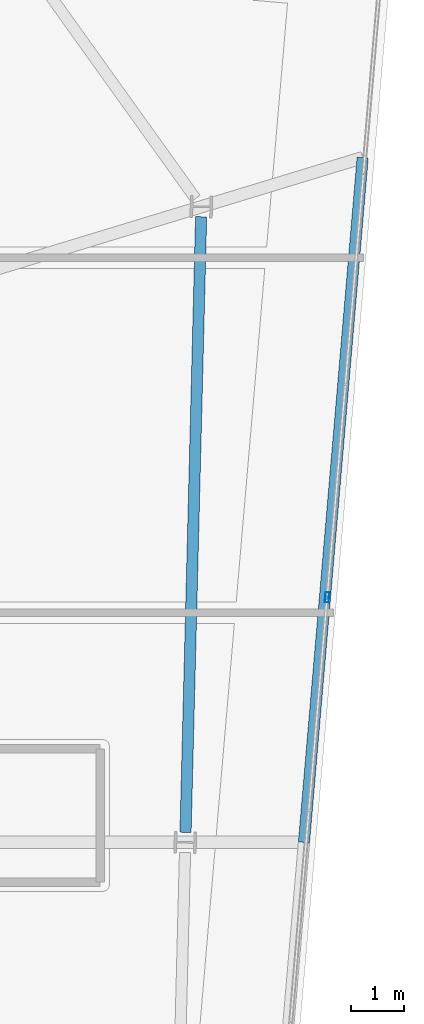
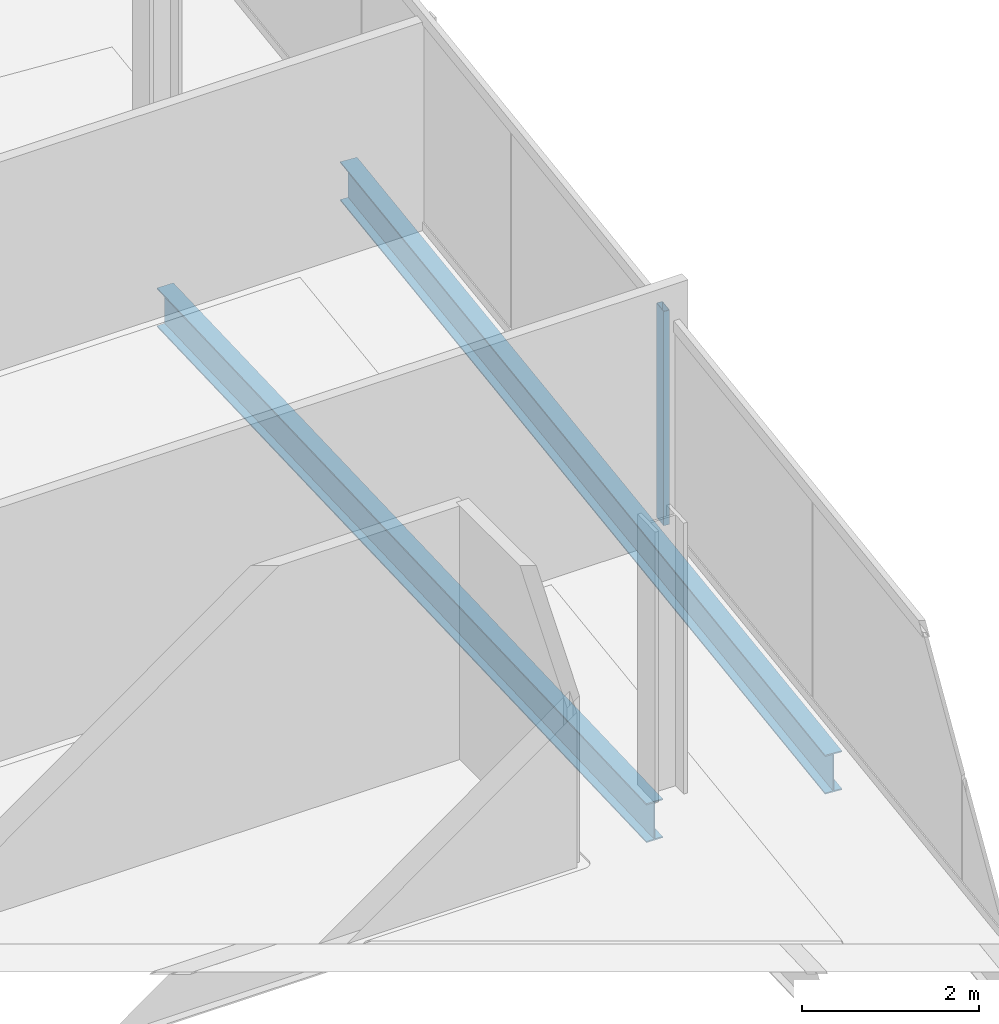
# One storey, part 12 of 24: 2 beams, 1 member, 1 element without a shape of its own.
"""IFC4 building model written with IfcOpenShell, lengths in metres."""

from ifc_helpers import new_model, si_unit, direction, frame, origin, origin_2d, place, context, subcontext, project, spatial, hollow_rectangle, i_section, extrude, material, material_profile, profile_set, type_object, element, aggregate, save


model = new_model("IFC4")

# Units and contexts
model_context = context("Model", 3, precision=1e-05, world=origin(), true_north=direction((0.0, 1.0)))
body_context = subcontext(model_context, "Body", "Model", "MODEL_VIEW")
ifc_project = project(units=[si_unit("LENGTHUNIT", "METRE"), si_unit("AREAUNIT", "SQUARE_METRE"), si_unit("VOLUMEUNIT", "CUBIC_METRE"), si_unit("PLANEANGLEUNIT", "RADIAN"), si_unit("MASSUNIT", "GRAM", prefix="KILO")], contexts=[model_context])

# Site, building, storey
site_placement = place(None, origin())
site = spatial("IfcSite", under=ifc_project, at=site_placement, CompositionType="ELEMENT")
building_placement = place(site_placement, origin())
building = spatial("IfcBuilding", under=site, at=building_placement, Name="Haldenkirk Collegiate Tower", CompositionType="ELEMENT")
storey_placement = place(building_placement, frame((0.0, 0.0, 313.949951171875)))
storey = spatial("IfcBuildingStorey", under=building, at=storey_placement, Name="L79", CompositionType="ELEMENT", Elevation=313.949951171875)

# Beams
ifc_material_1 = material(Name="Steel ASTM A992 Grade 50", Category="steel")
ifc_material_profile_1 = material_profile(ifc_material_1, i_section(OverallWidth=0.2099609375, OverallDepth=0.537109375, WebThickness=0.010986328125, FlangeThickness=0.017333984375, at=origin_2d()), Name="W21X68")
ifc_profile_set_1 = profile_set([ifc_material_profile_1], Name="Steel ASTM A992 Grade 50")
beam_type = type_object("IfcBeamType", Name="BM-SPANDREL-W21X68", PredefinedType="SPANDREL", material=ifc_profile_set_1)
beam_1_placement = place(storey_placement, frame((55.8984375, 25.684326171875, -0.528564453125), z_axis=(0.025302458902, 0.999679841536, 0.0), x_axis=(-0.999679841536, 0.025302458902, 0.0)))
element("IfcBeam", 1, at=beam_1_placement, inside=storey, type_object=beam_type, Name="L79 perimeter spandrel beam 03", PredefinedType="SPANDREL", context=body_context, shape_type="SweptSolid", body=[
    extrude(i_section(OverallWidth=0.2099609375, OverallDepth=0.537109375, WebThickness=0.010986328125, FlangeThickness=0.017333984375, at=origin_2d()), origin(), (0.0, 0.0, 1.0), 11.5400390625),
])
beam_2_placement = place(storey_placement, frame((58.117919921875, 25.496337890625, -0.528564453125), z_axis=(0.085414044682, 0.996345542957, 0.0), x_axis=(-0.996345542957, 0.085414044682, 0.0)))
element("IfcBeam", 2, at=beam_2_placement, inside=storey, type_object=beam_type, Name="L79 outer facade edge beam 1B", PredefinedType="SPANDREL", context=body_context, shape_type="SweptSolid", body=[
    extrude(i_section(OverallWidth=0.2099609375, OverallDepth=0.537109375, WebThickness=0.010986328125, FlangeThickness=0.017333984375, at=origin_2d()), origin(), (0.0, 0.0, 1.0), 12.879638671875),
])

# Curtain wall, member
ifc_material_2 = material(Name="Anodised architectural bronze aluminium", Category="aluminium")
curtain_wall_type = type_object("IfcCurtainWallType", Name="CW-SYS2-CONCAVE", PredefinedType="USERDEFINED", material=ifc_material_2)
curtain_wall_placement = place(storey_placement, origin())
curtain_wall = element("IfcCurtainWall", 3, at=curtain_wall_placement, inside=storey, type_object=curtain_wall_type, Name="L79 South concave recessed bronze-anodised curtain wall", ObjectType="UNITISED CURTAIN WALL", PredefinedType="USERDEFINED")
ifc_material_profile_2 = material_profile(ifc_material_2, hollow_rectangle(XDim=0.074951171875, YDim=0.18994140625, WallThickness=0.0048828125, at=origin_2d()), Name="CW-MUL-02")
ifc_profile_set_2 = profile_set([ifc_material_profile_2], Name="Anodised architectural bronze aluminium")
member_type = type_object("IfcMemberType", Name="CW-MUL-02", PredefinedType="MULLION", material=ifc_profile_set_2)
member_placement = place(storey_placement, frame((58.5517578125, 30.088623046875, 0.0), z_axis=(0.0, 0.0, 1.0), x_axis=(0.996345311804, -0.085416741017, 0.0)))
member = element("IfcMember", 4, at=member_placement, type_object=member_type, Name="CW-02 mullion 2", PredefinedType="MULLION", context=body_context, shape_type="SweptSolid", body=[
    extrude(hollow_rectangle(XDim=0.074951171875, YDim=0.18994140625, WallThickness=0.0048828125, at=origin_2d()), origin(), (0.0, 0.0, 1.0), 2.947998046875),
])
aggregate(curtain_wall, [member])

save(model, "model.ifc")
